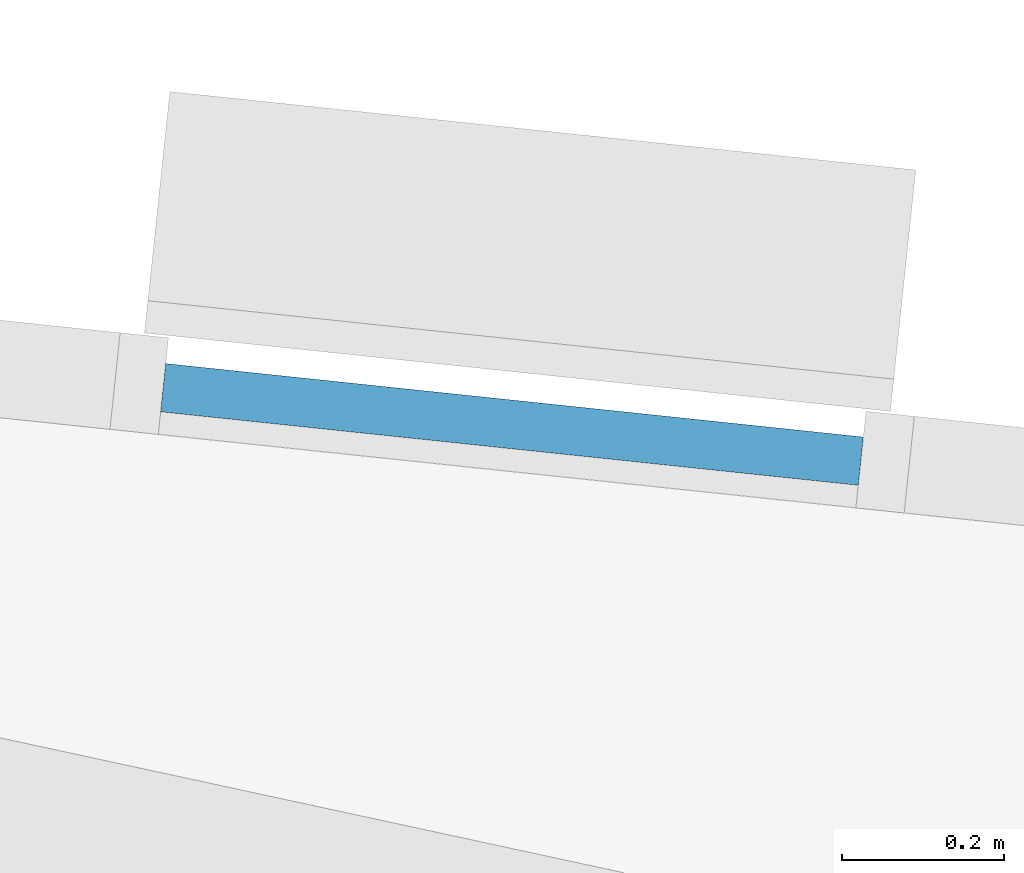
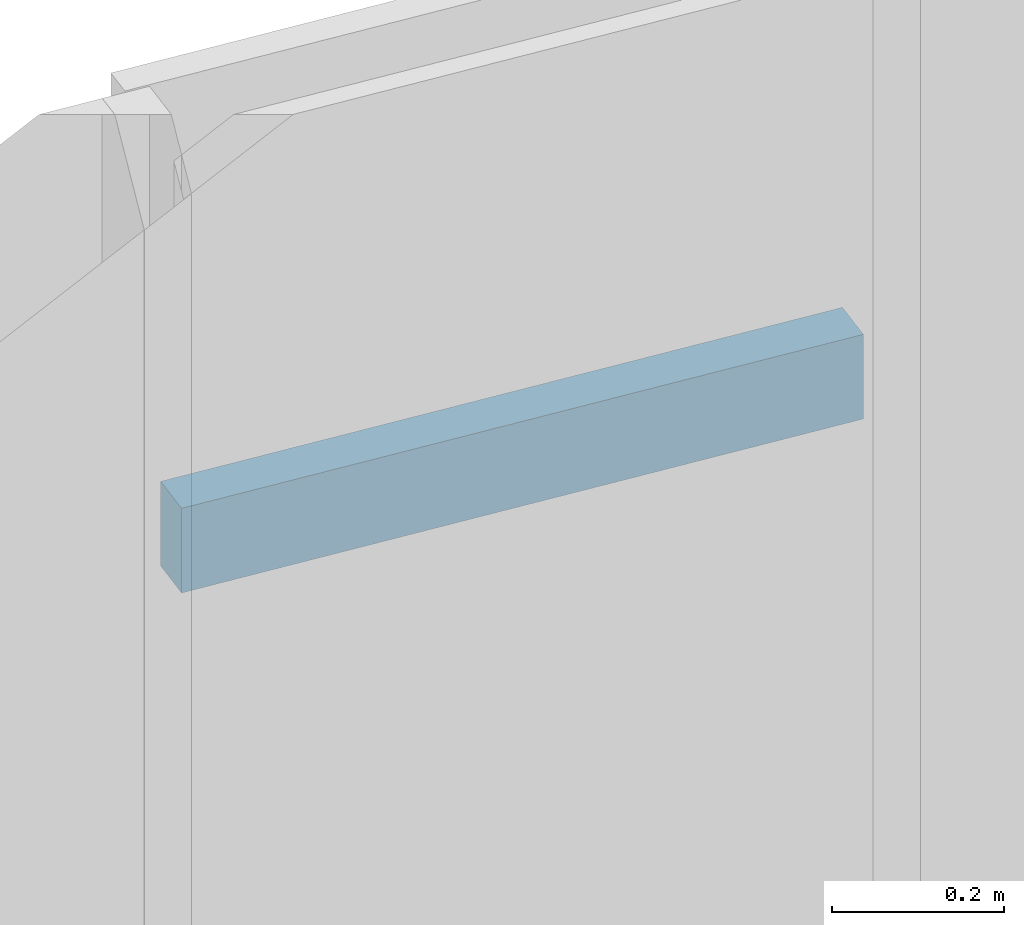
# One storey, part 16 of 41: 1 member, 1 element without a shape of its own.
"""IFC4 building model written with IfcOpenShell, lengths in metres."""

from ifc_helpers import new_model, si_unit, direction, frame, origin, origin_2d, place, context, subcontext, project, spatial, rectangle, extrude, material, material_profile, profile_set, type_object, element, aggregate, save


model = new_model("IFC4")

# Units and contexts
model_context = context("Model", 3, precision=1e-05, world=origin(), true_north=direction((0.0, 1.0)))
body_context = subcontext(model_context, "Body", "Model", "MODEL_VIEW")
ifc_project = project(units=[si_unit("LENGTHUNIT", "METRE"), si_unit("AREAUNIT", "SQUARE_METRE"), si_unit("VOLUMEUNIT", "CUBIC_METRE"), si_unit("PLANEANGLEUNIT", "RADIAN"), si_unit("MASSUNIT", "GRAM", prefix="KILO")], contexts=[model_context])

# Site, building, storey
site_placement = place(None, origin())
site = spatial("IfcSite", under=ifc_project, at=site_placement, CompositionType="ELEMENT")
building_placement = place(site_placement, origin())
building = spatial("IfcBuilding", under=site, at=building_placement, Name="Rimbun Link Towers", CompositionType="ELEMENT")
storey_placement = place(building_placement, frame((0.0, 0.0, 210.5)))
storey = spatial("IfcBuildingStorey", under=building, at=storey_placement, Name="L51", CompositionType="ELEMENT", Elevation=210.5)

# Curtain wall, member
ifc_material_1 = material(Name="Aluminium 6063-T6 and low-iron glass", Category="aluminium")
curtain_wall_type = type_object("IfcCurtainWallType", Name="CW1-Z4 unitised vision wall (zone 4)", PredefinedType="NOTDEFINED", material=ifc_material_1)
curtain_wall_placement = place(storey_placement, origin())
curtain_wall = element("IfcCurtainWall", 1, at=curtain_wall_placement, inside=storey, type_object=curtain_wall_type, Name="CW1 L51 T1", PredefinedType="NOTDEFINED")
ifc_material_2 = material(Name="Aluminium 6063-T6", Category="aluminium")
ifc_material_profile = material_profile(ifc_material_2, rectangle(XDim=0.06005859375, YDim=0.1201171875, at=origin_2d()), Name="TRANSOM 60X120")
ifc_profile_set = profile_set([ifc_material_profile], Name="Aluminium 6063-T6")
member_type = type_object("IfcMemberType", Name="CW1 transom 60X120", PredefinedType="USERDEFINED", material=ifc_profile_set)
member_placement = place(storey_placement, frame((-29.4267578125, 18.617431640625, 3.199951171875), z_axis=(0.994502367673, -0.104714090228, 0.0), x_axis=(0.104714090228, 0.994502367673, 0.0)))
member = element("IfcMember", 2, at=member_placement, type_object=member_type, Name="CW1 transom", ObjectType="TRANSOM", PredefinedType="USERDEFINED", context=body_context, shape_type="SweptSolid", body=[
    extrude(rectangle(XDim=0.06005859375, YDim=0.1201171875, at=origin_2d()), origin(), (0.0, 0.0, 1.0), 0.867431640625),
])
aggregate(curtain_wall, [member])

save(model, "model.ifc")
